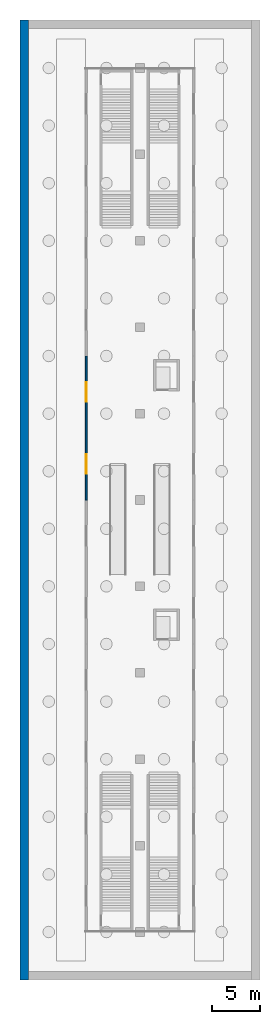
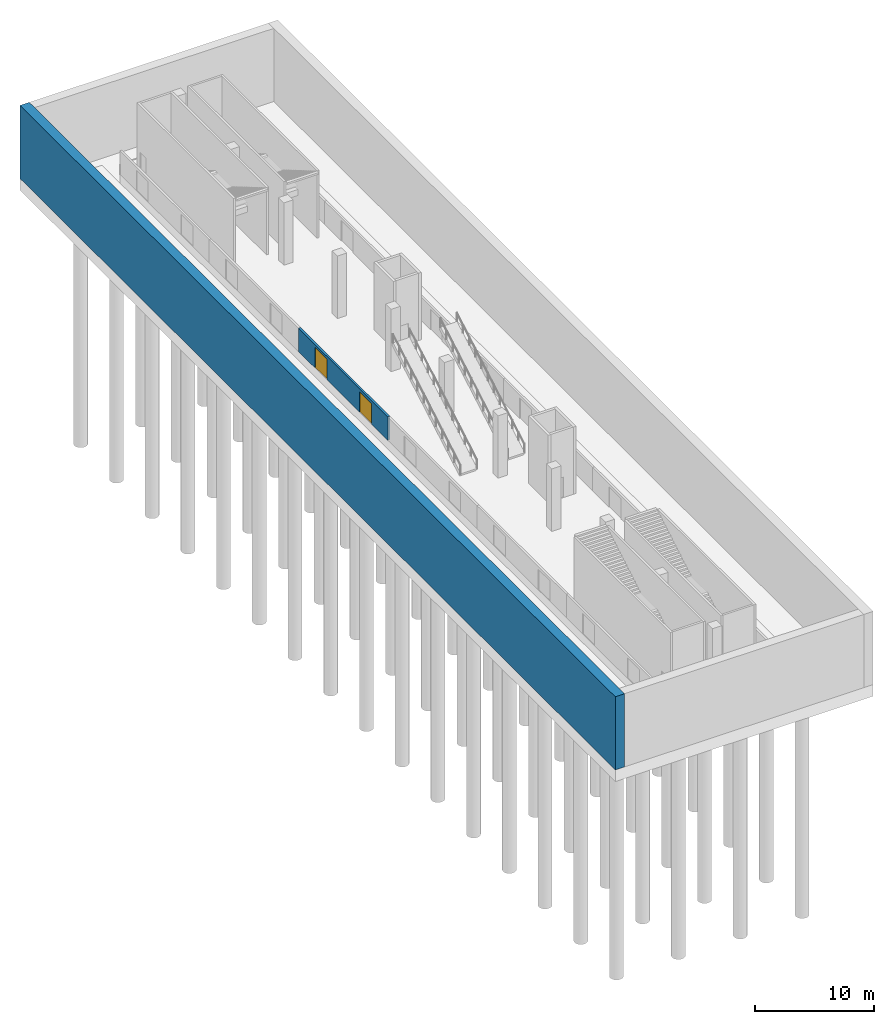
# One storey, part 3 of 16: 2 walls, 2 windows, 2 openings.
"""IFC4 building model written with IfcOpenShell, lengths in metres."""

from ifc_helpers import new_model, si_unit, direction, frame, frame_2d, origin, place, context, subcontext, project, spatial, rectangle, extrude, material, layer, layer_set, type_object, element, fill, save


model = new_model("IFC4")

# Units and contexts
model_context = context("Model", 3, precision=1e-05, world=origin(), true_north=direction((0.0, 1.0)))
body_context = subcontext(model_context, "Body", "Model", "MODEL_VIEW")
ifc_project = project(units=[si_unit("LENGTHUNIT", "METRE"), si_unit("AREAUNIT", "SQUARE_METRE"), si_unit("VOLUMEUNIT", "CUBIC_METRE"), si_unit("PLANEANGLEUNIT", "RADIAN"), si_unit("MASSUNIT", "GRAM", prefix="KILO")], contexts=[model_context])

# Site, building, storey
site_placement = place(None, origin())
site = spatial("IfcSite", under=ifc_project, at=site_placement, CompositionType="ELEMENT")
building_placement = place(site_placement, origin())
building = spatial("IfcBuilding", under=site, at=building_placement, Name="Ogive Plaza Stadium", CompositionType="ELEMENT")
storey_placement = place(building_placement, frame((0.0, 0.0, -11.39990234375)))
storey = spatial("IfcBuildingStorey", under=building, at=storey_placement, Name="B2", CompositionType="ELEMENT", Elevation=-11.39990234375)

# Wall
ifc_material_1 = material(Name="Concrete C35/45", Category="concrete")
ifc_layer_1 = layer(ifc_material_1, 0.89990234375)
ifc_layer_set_1 = layer_set([ifc_layer_1], Name="Concrete C35/45")
wall_type_1 = type_object("IfcWallType", Name="Diaphragm wall 900", PredefinedType="STANDARD", material=ifc_layer_set_1)
wall_1_placement = place(storey_placement, frame((95.449951171875, -50.0, -1.10009765625), z_axis=(0.0, 0.0, 1.0), x_axis=(0.0, 1.0, 0.0)))
element("IfcWall", 1, at=wall_1_placement, inside=storey, type_object=wall_type_1, Name="Diaphragm wall 900 B2 west", PredefinedType="STANDARD", context=body_context, shape_type="SweptSolid", body=[
    extrude(rectangle(XDim=100.0, YDim=0.89990234375, at=frame_2d((50.0, 0.0))), origin(), (0.0, 0.0, 1.0), 7.5),
])

# Wall, openings, windows
ifc_material_2 = material(Name="Laminated glass screen", Category="glass")
ifc_layer_2 = layer(ifc_material_2, 0.199951171875)
ifc_layer_set_2 = layer_set([ifc_layer_2], Name="Platform screen wall 200")
wall_type_2 = type_object("IfcWallType", Name="Platform screen wall 200", PredefinedType="PARTITIONING", material=ifc_layer_set_2)
wall_2_placement = place(storey_placement, frame((101.89990234375, 0.0, 0.0), z_axis=(0.0, 0.0, 1.0), x_axis=(0.0, 1.0, 0.0)))
wall_2 = element("IfcWall", 2, at=wall_2_placement, inside=storey, type_object=wall_type_2, Name="Platform screen wall 4", PredefinedType="PARTITIONING", context=body_context, shape_type="SweptSolid", body=[
    extrude(rectangle(XDim=15.0, YDim=0.199951171875, at=frame_2d((7.5, 0.0))), origin(), (0.0, 0.0, 1.0), 2.39990234375),
])
opening_1_placement = place(wall_2_placement, frame((2.75, 0.0, 0.0)))
opening_1 = element("IfcOpeningElement", 3, at=opening_1_placement, cuts=wall_2, Name="Opening PSG07", PredefinedType="OPENING", context=body_context, shape_type="SweptSolid", body=[
    extrude(rectangle(XDim=2.0, YDim=2.10009765625, at=frame_2d((1.0, 1.050048828125))), frame((0.0, 0.10009765625, 0.0), z_axis=(0.0, -1.0, 0.0), x_axis=(1.0, 0.0, 0.0)), (0.0, 0.0, 1.0), 0.199951171875),
])
opening_2_placement = place(wall_2_placement, frame((10.25, 0.0, 0.0)))
opening_2 = element("IfcOpeningElement", 4, at=opening_2_placement, cuts=wall_2, Name="Opening PSG08", PredefinedType="OPENING", context=body_context, shape_type="SweptSolid", body=[
    extrude(rectangle(XDim=2.0, YDim=2.10009765625, at=frame_2d((1.0, 1.050048828125))), frame((0.0, 0.10009765625, 0.0), z_axis=(0.0, -1.0, 0.0), x_axis=(1.0, 0.0, 0.0)), (0.0, 0.0, 1.0), 0.199951171875),
])
ifc_material_3 = material(Name="Laminated glass and steel frame", Category="steel")
window_type = type_object("IfcWindowType", Name="Platform screen glazing 2000x2100", PartitioningType="DOUBLE_PANEL_HORIZONTAL", PredefinedType="WINDOW", material=ifc_material_3)
window_1_placement = place(opening_1_placement, origin())
window_1 = element("IfcWindow", 5, at=window_1_placement, inside=storey, type_object=window_type, Name="Platform screen glazing PSG07", OverallHeight=2.10009765625, OverallWidth=2.0, PartitioningType="DOUBLE_PANEL_HORIZONTAL", PredefinedType="WINDOW", context=body_context, shape_type="SweptSolid", body=[
    extrude(rectangle(XDim=2.0, YDim=2.10009765625, at=frame_2d((1.0, 1.050048828125))), frame((0.0, 0.030029296875, 0.0), z_axis=(0.0, -1.0, 0.0), x_axis=(1.0, 0.0, 0.0)), (0.0, 0.0, 1.0), 0.06005859375),
])
fill(opening_1, window_1)
window_2_placement = place(opening_2_placement, origin())
window_2 = element("IfcWindow", 6, at=window_2_placement, inside=storey, type_object=window_type, Name="Platform screen glazing PSG08", OverallHeight=2.10009765625, OverallWidth=2.0, PartitioningType="DOUBLE_PANEL_HORIZONTAL", PredefinedType="WINDOW", context=body_context, shape_type="SweptSolid", body=[
    extrude(rectangle(XDim=2.0, YDim=2.10009765625, at=frame_2d((1.0, 1.050048828125))), frame((0.0, 0.030029296875, 0.0), z_axis=(0.0, -1.0, 0.0), x_axis=(1.0, 0.0, 0.0)), (0.0, 0.0, 1.0), 0.06005859375),
])
fill(opening_2, window_2)

save(model, "model.ifc")
